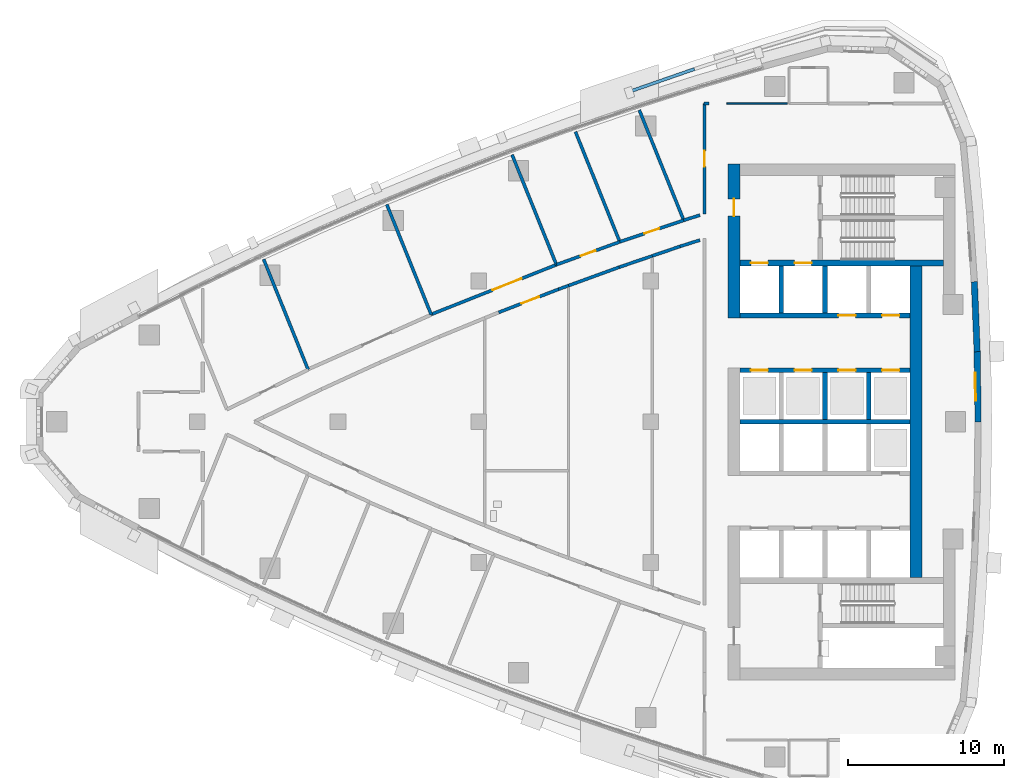
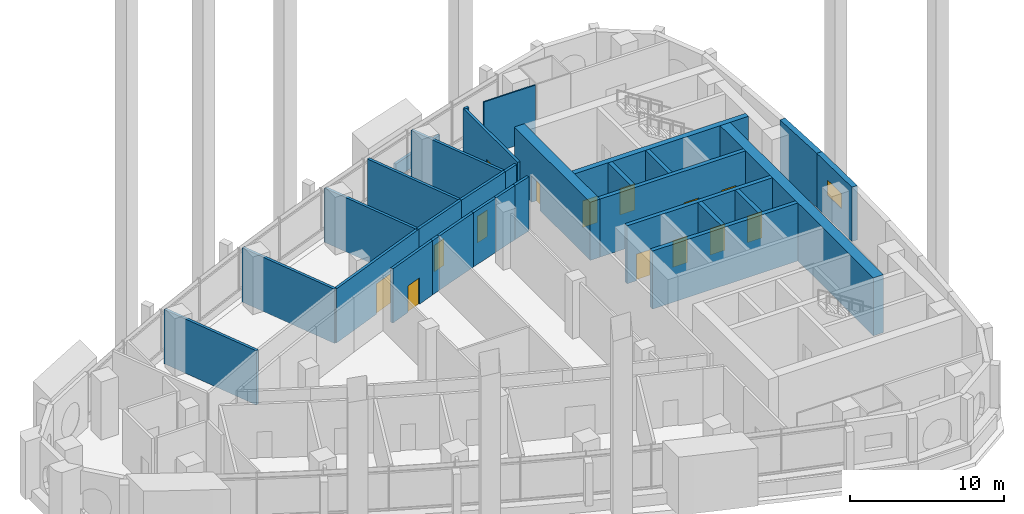
# One storey, part 10 of 19: 31 walls, 14 doors, 1 window, 15 openings.
"""IFC4 building model written with IfcOpenShell, lengths in metres."""

from ifc_helpers import new_model, si_unit, direction, frame, frame_2d, origin, place, context, subcontext, project, spatial, polyline, rectangle, outline, extrude, material, layer, layer_set, type_object, element, fill, save


model = new_model("IFC4")

# Units and contexts
model_context = context("Model", 3, precision=1e-05, world=origin(), true_north=direction((0.0, 1.0)))
body_context = subcontext(model_context, "Body", "Model", "MODEL_VIEW")
ifc_project = project(units=[si_unit("LENGTHUNIT", "METRE"), si_unit("AREAUNIT", "SQUARE_METRE"), si_unit("VOLUMEUNIT", "CUBIC_METRE"), si_unit("PLANEANGLEUNIT", "RADIAN"), si_unit("MASSUNIT", "GRAM", prefix="KILO")], contexts=[model_context])

# Site, building, storey
site_placement = place(None, origin())
site = spatial("IfcSite", under=ifc_project, at=site_placement, CompositionType="ELEMENT")
building_placement = place(site_placement, origin())
building = spatial("IfcBuilding", under=site, at=building_placement, Name="Ostrand Prow Hotel Tower", CompositionType="ELEMENT")
storey_placement = place(building_placement, frame((0.0, 0.0, 170.89990234375)))
storey = spatial("IfcBuildingStorey", under=building, at=storey_placement, Name="L42", CompositionType="ELEMENT", Elevation=170.89990234375)

# Wall
ifc_material_1 = material(Name="Concrete C60/75", Category="concrete")
ifc_layer_1 = layer(ifc_material_1, 0.300048828125)
ifc_layer_set_1 = layer_set([ifc_layer_1], Name="Concrete C60/75")
wall_type_1 = type_object("IfcWallType", Name="Core wall 300 C60/75", PredefinedType="SHEAR", material=ifc_layer_set_1)
wall_1_placement = place(storey_placement, frame((50.699951171875, 0.0, 0.0), z_axis=(0.0, 0.0, 1.0), x_axis=(1.0, 0.0, 0.0)))
element("IfcWall", 1, at=wall_1_placement, inside=storey, type_object=wall_type_1, Name="Core wall PW-C", PredefinedType="SHEAR", context=body_context, shape_type="SweptSolid", body=[
    extrude(rectangle(XDim=10.900146484375, YDim=0.300048828125, at=frame_2d((5.4501953125, 0.0))), origin(), (0.0, 0.0, 1.0), 4.60009765625),
])

# Wall, openings, doors
wall_2_placement = place(storey_placement, frame((50.699951171875, 3.300048828125, 0.0), z_axis=(0.0, 0.0, 1.0), x_axis=(1.0, 0.0, 0.0)))
wall_2 = element("IfcWall", 2, at=wall_2_placement, inside=storey, type_object=wall_type_1, Name="Core wall PW-L1-N", PredefinedType="SHEAR", context=body_context, shape_type="SweptSolid", body=[
    extrude(rectangle(XDim=10.900146484375, YDim=0.300048828125, at=frame_2d((5.4501953125, 0.0))), origin(), (0.0, 0.0, 1.0), 4.60009765625),
])
opening_1_placement = place(wall_2_placement, frame((0.699951171875, 0.0, 0.0)))
opening_1 = element("IfcOpeningElement", 3, at=opening_1_placement, cuts=wall_2, Name="Opening LD", PredefinedType="OPENING", context=body_context, shape_type="SweptSolid", body=[
    extrude(rectangle(XDim=1.10009765625, YDim=2.10009765625, at=frame_2d((0.550048828125, 1.050048828125))), frame((0.0, 0.159912109375, 0.0), z_axis=(0.0, -1.0, 0.0), x_axis=(1.0, 0.0, 0.0)), (0.0, 0.0, 1.0), 0.320068359375),
])
opening_2_placement = place(wall_2_placement, frame((3.5, 0.0, 0.0)))
opening_2 = element("IfcOpeningElement", 4, at=opening_2_placement, cuts=wall_2, Name="Opening LD", PredefinedType="OPENING", context=body_context, shape_type="SweptSolid", body=[
    extrude(rectangle(XDim=1.10009765625, YDim=2.10009765625, at=frame_2d((0.550048828125, 1.050048828125))), frame((0.0, 0.159912109375, 0.0), z_axis=(0.0, -1.0, 0.0), x_axis=(1.0, 0.0, 0.0)), (0.0, 0.0, 1.0), 0.320068359375),
])
opening_3_placement = place(wall_2_placement, frame((6.300048828125, 0.0, 0.0)))
opening_3 = element("IfcOpeningElement", 5, at=opening_3_placement, cuts=wall_2, Name="Opening LD", PredefinedType="OPENING", context=body_context, shape_type="SweptSolid", body=[
    extrude(rectangle(XDim=1.10009765625, YDim=2.10009765625, at=frame_2d((0.550048828125, 1.050048828125))), frame((0.0, 0.159912109375, 0.0), z_axis=(0.0, -1.0, 0.0), x_axis=(1.0, 0.0, 0.0)), (0.0, 0.0, 1.0), 0.320068359375),
])
opening_4_placement = place(wall_2_placement, frame((9.10009765625, 0.0, 0.0)))
opening_4 = element("IfcOpeningElement", 6, at=opening_4_placement, cuts=wall_2, Name="Opening LD", PredefinedType="OPENING", context=body_context, shape_type="SweptSolid", body=[
    extrude(rectangle(XDim=1.10009765625, YDim=2.10009765625, at=frame_2d((0.550048828125, 1.050048828125))), frame((0.0, 0.159912109375, 0.0), z_axis=(0.0, -1.0, 0.0), x_axis=(1.0, 0.0, 0.0)), (0.0, 0.0, 1.0), 0.320068359375),
])
ifc_material_2 = material(Name="Stainless steel door", Category="steel")
door_type_1 = type_object("IfcDoorType", Name="Lift landing door 1100", OperationType="DOUBLE_DOOR_SLIDING", PredefinedType="DOOR", material=ifc_material_2)
door_1_placement = place(opening_1_placement, origin())
door_1 = element("IfcDoor", 7, at=door_1_placement, inside=storey, type_object=door_type_1, Name="LIFT LANDING DOOR", OperationType="DOUBLE_DOOR_SLIDING", OverallHeight=2.10009765625, OverallWidth=1.10009765625, PredefinedType="DOOR", context=body_context, shape_type="SweptSolid", body=[
    extrude(rectangle(XDim=1.10009765625, YDim=2.10009765625, at=frame_2d((0.550048828125, 1.050048828125))), frame((0.0, 0.02490234375, 0.0), z_axis=(0.0, -1.0, 0.0), x_axis=(1.0, 0.0, 0.0)), (0.0, 0.0, 1.0), 0.050048828125),
])
fill(opening_1, door_1)
door_2_placement = place(opening_2_placement, origin())
door_2 = element("IfcDoor", 8, at=door_2_placement, inside=storey, type_object=door_type_1, Name="LIFT LANDING DOOR", OperationType="DOUBLE_DOOR_SLIDING", OverallHeight=2.10009765625, OverallWidth=1.10009765625, PredefinedType="DOOR", context=body_context, shape_type="SweptSolid", body=[
    extrude(rectangle(XDim=1.10009765625, YDim=2.10009765625, at=frame_2d((0.550048828125, 1.050048828125))), frame((0.0, 0.02490234375, 0.0), z_axis=(0.0, -1.0, 0.0), x_axis=(1.0, 0.0, 0.0)), (0.0, 0.0, 1.0), 0.050048828125),
])
fill(opening_2, door_2)
door_3_placement = place(opening_3_placement, origin())
door_3 = element("IfcDoor", 9, at=door_3_placement, inside=storey, type_object=door_type_1, Name="LIFT LANDING DOOR", OperationType="DOUBLE_DOOR_SLIDING", OverallHeight=2.10009765625, OverallWidth=1.10009765625, PredefinedType="DOOR", context=body_context, shape_type="SweptSolid", body=[
    extrude(rectangle(XDim=1.10009765625, YDim=2.10009765625, at=frame_2d((0.550048828125, 1.050048828125))), frame((0.0, 0.02490234375, 0.0), z_axis=(0.0, -1.0, 0.0), x_axis=(1.0, 0.0, 0.0)), (0.0, 0.0, 1.0), 0.050048828125),
])
fill(opening_3, door_3)
door_4_placement = place(opening_4_placement, origin())
door_4 = element("IfcDoor", 10, at=door_4_placement, inside=storey, type_object=door_type_1, Name="LIFT LANDING DOOR", OperationType="DOUBLE_DOOR_SLIDING", OverallHeight=2.10009765625, OverallWidth=1.10009765625, PredefinedType="DOOR", context=body_context, shape_type="SweptSolid", body=[
    extrude(rectangle(XDim=1.10009765625, YDim=2.10009765625, at=frame_2d((0.550048828125, 1.050048828125))), frame((0.0, 0.02490234375, 0.0), z_axis=(0.0, -1.0, 0.0), x_axis=(1.0, 0.0, 0.0)), (0.0, 0.0, 1.0), 0.050048828125),
])
fill(opening_4, door_4)

wall_3_placement = place(storey_placement, frame((50.699951171875, 6.800048828125, 0.0), z_axis=(0.0, 0.0, 1.0), x_axis=(1.0, 0.0, 0.0)))
wall_3 = element("IfcWall", 11, at=wall_3_placement, inside=storey, type_object=wall_type_1, Name="Core wall PW-L2-N", PredefinedType="SHEAR", context=body_context, shape_type="SweptSolid", body=[
    extrude(rectangle(XDim=10.900146484375, YDim=0.300048828125, at=frame_2d((5.4501953125, 0.0))), origin(), (0.0, 0.0, 1.0), 4.60009765625),
])
opening_5_placement = place(wall_3_placement, frame((6.300048828125, 0.0, 0.0)))
opening_5 = element("IfcOpeningElement", 12, at=opening_5_placement, cuts=wall_3, Name="Opening LD", PredefinedType="OPENING", context=body_context, shape_type="SweptSolid", body=[
    extrude(rectangle(XDim=1.10009765625, YDim=2.10009765625, at=frame_2d((0.550048828125, 1.050048828125))), frame((0.0, 0.159912109375, 0.0), z_axis=(0.0, -1.0, 0.0), x_axis=(1.0, 0.0, 0.0)), (0.0, 0.0, 1.0), 0.320068359375),
])
opening_6_placement = place(wall_3_placement, frame((9.10009765625, 0.0, 0.0)))
opening_6 = element("IfcOpeningElement", 13, at=opening_6_placement, cuts=wall_3, Name="Opening LD", PredefinedType="OPENING", context=body_context, shape_type="SweptSolid", body=[
    extrude(rectangle(XDim=1.10009765625, YDim=2.10009765625, at=frame_2d((0.550048828125, 1.050048828125))), frame((0.0, 0.159912109375, 0.0), z_axis=(0.0, -1.0, 0.0), x_axis=(1.0, 0.0, 0.0)), (0.0, 0.0, 1.0), 0.320068359375),
])
door_5_placement = place(opening_5_placement, origin())
door_5 = element("IfcDoor", 14, at=door_5_placement, inside=storey, type_object=door_type_1, Name="LIFT LANDING DOOR", OperationType="DOUBLE_DOOR_SLIDING", OverallHeight=2.10009765625, OverallWidth=1.10009765625, PredefinedType="DOOR", context=body_context, shape_type="SweptSolid", body=[
    extrude(rectangle(XDim=1.10009765625, YDim=2.10009765625, at=frame_2d((0.550048828125, 1.050048828125))), frame((0.0, 0.02490234375, 0.0), z_axis=(0.0, -1.0, 0.0), x_axis=(1.0, 0.0, 0.0)), (0.0, 0.0, 1.0), 0.050048828125),
])
fill(opening_5, door_5)
door_6_placement = place(opening_6_placement, origin())
door_6 = element("IfcDoor", 15, at=door_6_placement, inside=storey, type_object=door_type_1, Name="LIFT LANDING DOOR", OperationType="DOUBLE_DOOR_SLIDING", OverallHeight=2.10009765625, OverallWidth=1.10009765625, PredefinedType="DOOR", context=body_context, shape_type="SweptSolid", body=[
    extrude(rectangle(XDim=1.10009765625, YDim=2.10009765625, at=frame_2d((0.550048828125, 1.050048828125))), frame((0.0, 0.02490234375, 0.0), z_axis=(0.0, -1.0, 0.0), x_axis=(1.0, 0.0, 0.0)), (0.0, 0.0, 1.0), 0.050048828125),
])
fill(opening_6, door_6)

# Walls
for number, where, z_axis, x_axis, name in (
    (16, (53.35009765625, 6.949951171875, 0.0), (0.0, 0.0, 1.0), (0.0, 1.0, 0.0), "Core wall PW-R1-NA"),
    (17, (56.14990234375, 0.14990234375, 0.0), (0.0, 0.0, 1.0), (0.0, 1.0, 0.0), "Core wall PW-R2-NB"),
    (18, (56.14990234375, 6.949951171875, 0.0), (0.0, 0.0, 1.0), (0.0, 1.0, 0.0), "Core wall PW-R2-NA"),
    (19, (58.949951171875, 0.14990234375, 0.0), (0.0, 0.0, 1.0), (0.0, 1.0, 0.0), "Core wall PW-R3-NB"),
):
    element("IfcWall", number, at=place(storey_placement, frame(where, z_axis=z_axis, x_axis=x_axis)), inside=storey, type_object=wall_type_1, Name=name, PredefinedType="SHEAR", context=body_context, shape_type="SweptSolid", body=[
        extrude(rectangle(XDim=3.0, YDim=0.300048828125, at=frame_2d((1.5, 0.0))), origin(), (0.0, 0.0, 1.0), 4.60009765625),
    ])

# Wall, openings, doors
ifc_material_3 = material(Name="Concrete C60/75", Category="concrete")
ifc_layer_2 = layer(ifc_material_3, 0.39990234375)
ifc_layer_set_2 = layer_set([ifc_layer_2], Name="Concrete C60/75")
wall_type_2 = type_object("IfcWallType", Name="Core wall 400 C60/75", PredefinedType="SHEAR", material=ifc_layer_set_2)
wall_4_placement = place(storey_placement, frame((50.699951171875, 10.14990234375, 0.0), z_axis=(0.0, 0.0, 1.0), x_axis=(1.0, 0.0, 0.0)))
wall_4 = element("IfcWall", 20, at=wall_4_placement, inside=storey, type_object=wall_type_2, Name="Core wall PW-BN", PredefinedType="SHEAR", context=body_context, shape_type="SweptSolid", body=[
    extrude(rectangle(XDim=13.02001953125, YDim=0.39990234375, at=frame_2d((6.510009765625, 0.0))), origin(), (0.0, 0.0, 1.0), 4.60009765625),
])
opening_7_placement = place(wall_4_placement, frame((0.699951171875, 0.0, 0.0)))
opening_7 = element("IfcOpeningElement", 21, at=opening_7_placement, cuts=wall_4, Name="Opening LD", PredefinedType="OPENING", context=body_context, shape_type="SweptSolid", body=[
    extrude(rectangle(XDim=1.10009765625, YDim=2.10009765625, at=frame_2d((0.550048828125, 1.050048828125))), frame((0.0, 0.2099609375, 0.0), z_axis=(0.0, -1.0, 0.0), x_axis=(1.0, 0.0, 0.0)), (0.0, 0.0, 1.0), 0.419921875),
])
opening_8_placement = place(wall_4_placement, frame((3.5, 0.0, 0.0)))
opening_8 = element("IfcOpeningElement", 22, at=opening_8_placement, cuts=wall_4, Name="Opening LD", PredefinedType="OPENING", context=body_context, shape_type="SweptSolid", body=[
    extrude(rectangle(XDim=1.10009765625, YDim=2.10009765625, at=frame_2d((0.550048828125, 1.050048828125))), frame((0.0, 0.2099609375, 0.0), z_axis=(0.0, -1.0, 0.0), x_axis=(1.0, 0.0, 0.0)), (0.0, 0.0, 1.0), 0.419921875),
])
door_7_placement = place(opening_7_placement, origin())
door_7 = element("IfcDoor", 23, at=door_7_placement, inside=storey, type_object=door_type_1, Name="LIFT LANDING DOOR", OperationType="DOUBLE_DOOR_SLIDING", OverallHeight=2.10009765625, OverallWidth=1.10009765625, PredefinedType="DOOR", context=body_context, shape_type="SweptSolid", body=[
    extrude(rectangle(XDim=1.10009765625, YDim=2.10009765625, at=frame_2d((0.550048828125, 1.050048828125))), frame((0.0, 0.02490234375, 0.0), z_axis=(0.0, -1.0, 0.0), x_axis=(1.0, 0.0, 0.0)), (0.0, 0.0, 1.0), 0.050048828125),
])
fill(opening_7, door_7)
door_8_placement = place(opening_8_placement, origin())
door_8 = element("IfcDoor", 24, at=door_8_placement, inside=storey, type_object=door_type_1, Name="LIFT LANDING DOOR", OperationType="DOUBLE_DOOR_SLIDING", OverallHeight=2.10009765625, OverallWidth=1.10009765625, PredefinedType="DOOR", context=body_context, shape_type="SweptSolid", body=[
    extrude(rectangle(XDim=1.10009765625, YDim=2.10009765625, at=frame_2d((0.550048828125, 1.050048828125))), frame((0.0, 0.02490234375, 0.0), z_axis=(0.0, -1.0, 0.0), x_axis=(1.0, 0.0, 0.0)), (0.0, 0.0, 1.0), 0.050048828125),
])
fill(opening_8, door_8)

# Wall, opening, door
ifc_material_4 = material(Name="Concrete C60/75", Category="concrete")
ifc_layer_3 = layer(ifc_material_4, 0.75)
ifc_layer_set_3 = layer_set([ifc_layer_3], Name="Concrete C60/75")
wall_type_3 = type_object("IfcWallType", Name="Core wall 750 C60/75", PredefinedType="SHEAR", material=ifc_layer_set_3)
wall_5_placement = place(storey_placement, frame((50.324951171875, 6.64990234375, 0.0), z_axis=(0.0, 0.0, 1.0), x_axis=(0.0, 1.0, 0.0)))
wall_5 = element("IfcWall", 25, at=wall_5_placement, inside=storey, type_object=wall_type_3, Name="Core wall CW-W-N", PredefinedType="SHEAR", context=body_context, shape_type="SweptSolid", body=[
    extrude(rectangle(XDim=9.85009765625, YDim=0.75, at=frame_2d((4.925048828125, 0.0))), origin(), (0.0, 0.0, 1.0), 4.60009765625),
])
opening_9_placement = place(wall_5_placement, frame((6.5, 0.0, 0.0)))
opening_9 = element("IfcOpeningElement", 26, at=opening_9_placement, cuts=wall_5, Name="Opening FD1", PredefinedType="OPENING", context=body_context, shape_type="SweptSolid", body=[
    extrude(rectangle(XDim=1.10009765625, YDim=2.10009765625, at=frame_2d((0.550048828125, 1.050048828125))), frame((0.0, 0.385009765625, 0.0), z_axis=(0.0, -1.0, 0.0), x_axis=(1.0, 0.0, 0.0)), (0.0, 0.0, 1.0), 0.77001953125),
])
ifc_material_5 = material(Name="Steel fire door", Category="steel")
door_type_2 = type_object("IfcDoorType", Name="Fire door 1100 EI120", OperationType="SINGLE_SWING_RIGHT", PredefinedType="DOOR", material=ifc_material_5)
door_9_placement = place(opening_9_placement, origin())
door_9 = element("IfcDoor", 27, at=door_9_placement, inside=storey, type_object=door_type_2, Name="FIRE DOOR", OperationType="SINGLE_SWING_RIGHT", OverallHeight=2.10009765625, OverallWidth=1.10009765625, PredefinedType="DOOR", context=body_context, shape_type="SweptSolid", body=[
    extrude(rectangle(XDim=1.10009765625, YDim=2.10009765625, at=frame_2d((0.550048828125, 1.050048828125))), frame((0.0, 0.02490234375, 0.0), z_axis=(0.0, -1.0, 0.0), x_axis=(1.0, 0.0, 0.0)), (0.0, 0.0, 1.0), 0.050048828125),
])
fill(opening_9, door_9)

# Walls
wall_6_placement = place(storey_placement, frame((61.97509765625, -9.949951171875, 0.0), z_axis=(0.0, 0.0, 1.0), x_axis=(0.0, 1.0, 0.0)))
element("IfcWall", 28, at=wall_6_placement, inside=storey, type_object=wall_type_3, Name="Core wall CW-E-C", PredefinedType="SHEAR", context=body_context, shape_type="SweptSolid", body=[
    extrude(rectangle(XDim=19.89990234375, YDim=0.75, at=frame_2d((9.949951171875, 0.0))), origin(), (0.0, 0.0, 1.0), 4.60009765625),
])
ifc_material_6 = material(Name="Plasterboard partition")
ifc_layer_4 = layer(ifc_material_6, 0.10009765625)
ifc_layer_set_4 = layer_set([ifc_layer_4], Name="Plasterboard partition")
wall_type_4 = type_object("IfcWallType", Name="Partition 100 bathroom wall", PredefinedType="PARTITIONING", material=ifc_layer_set_4)
wall_7_placement = place(storey_placement, frame((49.8701171875, 20.35009765625, 0.0), z_axis=(0.0, 0.0, 1.0), x_axis=(1.0, 0.0, 0.0)))
element("IfcWall", 29, at=wall_7_placement, inside=storey, type_object=wall_type_4, Name="BATHROOM WALL", PredefinedType="PARTITIONING", context=body_context, shape_type="SweptSolid", body=[
    extrude(rectangle(XDim=3.8798828125, YDim=0.10009765625, at=frame_2d((1.93994140625, 0.0))), origin(), (0.0, 0.0, 1.0), 4.300048828125),
])

# Wall, opening, door
ifc_material_7 = material(Name="Plasterboard partition")
ifc_layer_5 = layer(ifc_material_7, 0.199951171875)
ifc_layer_set_5 = layer_set([ifc_layer_5], Name="Plasterboard partition")
wall_type_5 = type_object("IfcWallType", Name="Partition 200 corridor wall", PredefinedType="PARTITIONING", material=ifc_layer_set_5)
wall_8_placement = place(storey_placement, frame((38.972412109375, 10.044921875, 0.0), z_axis=(0.0, 0.0, 1.0), x_axis=(-0.929554647243, -0.368684360651, 0.0)))
wall_8 = element("IfcWall", 30, at=wall_8_placement, inside=storey, type_object=wall_type_5, Name="CORRIDOR WALL", PredefinedType="PARTITIONING", context=body_context, shape_type="SweptSolid", body=[
    extrude(rectangle(XDim=8.621826171875, YDim=0.199951171875, at=frame_2d((4.31103515625, 0.0))), origin(), (0.0, 0.0, 1.0), 4.300048828125),
])
opening_10_placement = place(wall_8_placement, frame((2.39990234375, 0.0, 0.0)))
opening_10 = element("IfcOpeningElement", 31, at=opening_10_placement, cuts=wall_8, Name="Opening D20", PredefinedType="OPENING", context=body_context, shape_type="SweptSolid", body=[
    extrude(rectangle(XDim=2.0, YDim=2.39990234375, at=frame_2d((1.0, 1.199951171875))), frame((0.0, 0.10986328125, 0.0), z_axis=(0.0, -1.0, 0.0), x_axis=(1.0, 0.0, 0.0)), (0.0, 0.0, 1.0), 0.219970703125),
])
ifc_material_8 = material(Name="Timber door leaf", Category="wood")
door_type_3 = type_object("IfcDoorType", Name="Double door 2000", OperationType="DOUBLE_DOOR_SINGLE_SWING", PredefinedType="DOOR", material=ifc_material_8)
door_10_placement = place(opening_10_placement, origin())
door_10 = element("IfcDoor", 32, at=door_10_placement, inside=storey, type_object=door_type_3, Name="DOOR", OperationType="DOUBLE_DOOR_SINGLE_SWING", OverallHeight=2.39990234375, OverallWidth=2.0, PredefinedType="DOOR", context=body_context, shape_type="SweptSolid", body=[
    extrude(rectangle(XDim=2.0, YDim=2.39990234375, at=frame_2d((1.0, 1.199951171875))), frame((0.0, 0.02490234375, 0.0), z_axis=(0.0, -1.0, 0.0), x_axis=(1.0, 0.0, 0.0)), (0.0, 0.0, 1.0), 0.050048828125),
])
fill(opening_10, door_10)

wall_9_placement = place(storey_placement, frame((43.02587890625, 11.50732421875, 0.0), z_axis=(0.0, 0.0, 1.0), x_axis=(-0.940653905433, -0.339367397069, 0.0)))
wall_9 = element("IfcWall", 33, at=wall_9_placement, inside=storey, type_object=wall_type_5, Name="CORRIDOR WALL", PredefinedType="PARTITIONING", context=body_context, shape_type="SweptSolid", body=[
    extrude(rectangle(XDim=4.30908203125, YDim=0.199951171875, at=frame_2d((2.154541015625, 0.0))), origin(), (0.0, 0.0, 1.0), 4.300048828125),
])
opening_11_placement = place(wall_9_placement, frame((1.65478515625, 0.0, 0.0)))
opening_11 = element("IfcOpeningElement", 34, at=opening_11_placement, cuts=wall_9, Name="Opening D1", PredefinedType="OPENING", context=body_context, shape_type="SweptSolid", body=[
    extrude(rectangle(XDim=1.0, YDim=2.10009765625, at=frame_2d((0.5, 1.050048828125))), frame((0.0, 0.10986328125, 0.0), z_axis=(0.0, -1.0, 0.0), x_axis=(1.0, 0.0, 0.0)), (0.0, 0.0, 1.0), 0.219970703125),
])
ifc_material_9 = material(Name="Timber door leaf", Category="wood")
door_type_4 = type_object("IfcDoorType", Name="Guest room door 1000", OperationType="SINGLE_SWING_LEFT", PredefinedType="DOOR", material=ifc_material_9)
door_11_placement = place(opening_11_placement, origin())
door_11 = element("IfcDoor", 35, at=door_11_placement, inside=storey, type_object=door_type_4, Name="DOOR", OperationType="SINGLE_SWING_LEFT", OverallHeight=2.10009765625, OverallWidth=1.0, PredefinedType="DOOR", context=body_context, shape_type="SweptSolid", body=[
    extrude(rectangle(XDim=1.0, YDim=2.10009765625, at=frame_2d((0.5, 1.050048828125))), frame((0.0, 0.02490234375, 0.0), z_axis=(0.0, -1.0, 0.0), x_axis=(1.0, 0.0, 0.0)), (0.0, 0.0, 1.0), 0.050048828125),
])
fill(opening_11, door_11)

wall_10_placement = place(storey_placement, frame((47.11328125, 12.885986328125, 0.0), z_axis=(0.0, 0.0, 1.0), x_axis=(-0.947550995841, -0.319604615549, 0.0)))
wall_10 = element("IfcWall", 36, at=wall_10_placement, inside=storey, type_object=wall_type_5, Name="CORRIDOR WALL", PredefinedType="PARTITIONING", context=body_context, shape_type="SweptSolid", body=[
    extrude(rectangle(XDim=4.313720703125, YDim=0.199951171875, at=frame_2d((2.15673828125, 0.0))), origin(), (0.0, 0.0, 1.0), 4.300048828125),
])
opening_12_placement = place(wall_10_placement, frame((1.65673828125, 0.0, 0.0)))
opening_12 = element("IfcOpeningElement", 37, at=opening_12_placement, cuts=wall_10, Name="Opening D1R", PredefinedType="OPENING", context=body_context, shape_type="SweptSolid", body=[
    extrude(rectangle(XDim=1.0, YDim=2.10009765625, at=frame_2d((0.5, 1.050048828125))), frame((0.0, 0.10986328125, 0.0), z_axis=(0.0, -1.0, 0.0), x_axis=(1.0, 0.0, 0.0)), (0.0, 0.0, 1.0), 0.219970703125),
])
ifc_material_10 = material(Name="Timber door leaf", Category="wood")
door_type_5 = type_object("IfcDoorType", Name="Guest room door 1000 right", OperationType="SINGLE_SWING_RIGHT", PredefinedType="DOOR", material=ifc_material_10)
door_12_placement = place(opening_12_placement, origin())
door_12 = element("IfcDoor", 38, at=door_12_placement, inside=storey, type_object=door_type_5, Name="DOOR", OperationType="SINGLE_SWING_RIGHT", OverallHeight=2.10009765625, OverallWidth=1.0, PredefinedType="DOOR", context=body_context, shape_type="SweptSolid", body=[
    extrude(rectangle(XDim=1.0, YDim=2.10009765625, at=frame_2d((0.5, 1.050048828125))), frame((0.0, 0.02490234375, 0.0), z_axis=(0.0, -1.0, 0.0), x_axis=(1.0, 0.0, 0.0)), (0.0, 0.0, 1.0), 0.050048828125),
])
fill(opening_12, door_12)

wall_11_placement = place(storey_placement, frame((35.275634765625, 6.994384765625, 0.0), z_axis=(0.0, 0.0, 1.0), x_axis=(0.932673028194, 0.360722916487, 0.0)))
wall_11 = element("IfcWall", 39, at=wall_11_placement, inside=storey, type_object=wall_type_5, Name="CORRIDOR WALL", PredefinedType="PARTITIONING", context=body_context, shape_type="SweptSolid", body=[
    extrude(rectangle(XDim=4.116943359375, YDim=0.199951171875, at=frame_2d((2.05859375, 0.0))), origin(), (0.0, 0.0, 1.0), 4.300048828125),
])
opening_13_placement = place(wall_11_placement, frame((1.55859375, 0.0, 0.0)))
opening_13 = element("IfcOpeningElement", 40, at=opening_13_placement, cuts=wall_11, Name="Opening D12", PredefinedType="OPENING", context=body_context, shape_type="SweptSolid", body=[
    extrude(rectangle(XDim=1.199951171875, YDim=2.10009765625, at=frame_2d((0.60009765625, 1.050048828125))), frame((0.0, 0.10986328125, 0.0), z_axis=(0.0, -1.0, 0.0), x_axis=(1.0, 0.0, 0.0)), (0.0, 0.0, 1.0), 0.219970703125),
])
ifc_material_11 = material(Name="Steel service door", Category="steel")
door_type_6 = type_object("IfcDoorType", Name="Service door 1200", OperationType="SINGLE_SWING_RIGHT", PredefinedType="DOOR", material=ifc_material_11)
door_13_placement = place(opening_13_placement, origin())
door_13 = element("IfcDoor", 41, at=door_13_placement, inside=storey, type_object=door_type_6, Name="DOOR", OperationType="SINGLE_SWING_RIGHT", OverallHeight=2.10009765625, OverallWidth=1.199951171875, PredefinedType="DOOR", context=body_context, shape_type="SweptSolid", body=[
    extrude(rectangle(XDim=1.199951171875, YDim=2.10009765625, at=frame_2d((0.60009765625, 1.050048828125))), frame((0.0, 0.02490234375, 0.0), z_axis=(0.0, -1.0, 0.0), x_axis=(1.0, 0.0, 0.0)), (0.0, 0.0, 1.0), 0.050048828125),
])
fill(opening_13, door_13)

# Walls
wall_12_placement = place(storey_placement, frame((39.115478515625, 8.4794921875, 0.0), z_axis=(0.0, 0.0, 1.0), x_axis=(0.939740484597, 0.341888609944, 0.0)))
element("IfcWall", 42, at=wall_12_placement, inside=storey, type_object=wall_type_5, Name="CORRIDOR WALL", PredefinedType="PARTITIONING", context=body_context, shape_type="SweptSolid", body=[
    extrude(rectangle(XDim=0.67333984375, YDim=0.199951171875, at=frame_2d((0.336669921875, 0.0))), origin(), (0.0, 0.0, 1.0), 4.300048828125),
])
wall_13_placement = place(storey_placement, frame((42.984375, 9.88720703125, 0.0), z_axis=(0.0, 0.0, 1.0), x_axis=(0.946435226242, 0.322893732562, 0.0)))
element("IfcWall", 43, at=wall_13_placement, inside=storey, type_object=wall_type_5, Name="CORRIDOR WALL", PredefinedType="PARTITIONING", context=body_context, shape_type="SweptSolid", body=[
    extrude(rectangle(XDim=2.23876953125, YDim=0.199951171875, at=frame_2d((1.119384765625, 0.0))), origin(), (0.0, 0.0, 1.0), 4.300048828125),
])
wall_14_placement = place(storey_placement, frame((39.748291015625, 8.709716796875, 0.0), z_axis=(0.0, 0.0, 1.0), x_axis=(0.93972509626, 0.341930904509, 0.0)))
element("IfcWall", 44, at=wall_14_placement, inside=storey, type_object=wall_type_5, Name="CORRIDOR WALL", PredefinedType="PARTITIONING", context=body_context, shape_type="SweptSolid", body=[
    extrude(rectangle(XDim=3.443603515625, YDim=0.199951171875, at=frame_2d((1.7216796875, 0.0))), origin(), (0.0, 0.0, 1.0), 4.300048828125),
])
wall_15_placement = place(storey_placement, frame((45.103271484375, 10.610107421875, 0.0), z_axis=(0.0, 0.0, 1.0), x_axis=(0.946437079914, 0.322888299204, 0.0)))
element("IfcWall", 45, at=wall_15_placement, inside=storey, type_object=wall_type_5, Name="CORRIDOR WALL", PredefinedType="PARTITIONING", context=body_context, shape_type="SweptSolid", body=[
    extrude(rectangle(XDim=1.878173828125, YDim=0.199951171875, at=frame_2d((0.93896484375, 0.0))), origin(), (0.0, 0.0, 1.0), 4.300048828125),
])
wall_16_placement = place(storey_placement, frame((48.14990234375, 13.216552734375, 0.0), z_axis=(0.0, 0.0, 1.0), x_axis=(-0.952731090451, -0.303814860215, 0.0)))
element("IfcWall", 46, at=wall_16_placement, inside=storey, type_object=wall_type_5, Name="CORRIDOR WALL", PredefinedType="PARTITIONING", context=body_context, shape_type="SweptSolid", body=[
    extrude(rectangle(XDim=1.088134765625, YDim=0.199951171875, at=frame_2d((0.5439453125, 0.0))), origin(), (0.0, 0.0, 1.0), 4.300048828125),
])
wall_17_placement = place(storey_placement, frame((46.880859375, 11.216552734375, 0.0), z_axis=(0.0, 0.0, 1.0), x_axis=(0.952761948983, 0.303718074157, 0.0)))
element("IfcWall", 47, at=wall_17_placement, inside=storey, type_object=wall_type_5, Name="CORRIDOR WALL", PredefinedType="PARTITIONING", context=body_context, shape_type="SweptSolid", body=[
    extrude(rectangle(XDim=1.33203125, YDim=0.199951171875, at=frame_2d((0.666015625, 0.0))), origin(), (0.0, 0.0, 1.0), 4.300048828125),
])

# Wall, opening, door
wall_18_placement = place(storey_placement, frame((48.445068359375, 20.35009765625, 0.0), z_axis=(0.0, 0.0, 1.0), x_axis=(0.0, -1.0, 0.0)))
wall_18 = element("IfcWall", 48, at=wall_18_placement, inside=storey, type_object=wall_type_5, Name="CORRIDOR WALL", PredefinedType="PARTITIONING", context=body_context, shape_type="SweptSolid", body=[
    extrude(rectangle(XDim=7.05517578125, YDim=0.199951171875, at=frame_2d((3.527587890625, 0.0))), origin(), (0.0, 0.0, 1.0), 4.300048828125),
])
opening_14_placement = place(wall_18_placement, frame((3.028076171875, 0.0, 0.0)))
opening_14 = element("IfcOpeningElement", 49, at=opening_14_placement, cuts=wall_18, Name="Opening D1R", PredefinedType="OPENING", context=body_context, shape_type="SweptSolid", body=[
    extrude(rectangle(XDim=1.0, YDim=2.10009765625, at=frame_2d((0.5, 1.050048828125))), frame((0.0, 0.10986328125, 0.0), z_axis=(0.0, -1.0, 0.0), x_axis=(1.0, 0.0, 0.0)), (0.0, 0.0, 1.0), 0.219970703125),
])
door_14_placement = place(opening_14_placement, origin())
door_14 = element("IfcDoor", 50, at=door_14_placement, inside=storey, type_object=door_type_5, Name="DOOR", OperationType="SINGLE_SWING_RIGHT", OverallHeight=2.10009765625, OverallWidth=1.0, PredefinedType="DOOR", context=body_context, shape_type="SweptSolid", body=[
    extrude(rectangle(XDim=1.0, YDim=2.10009765625, at=frame_2d((0.5, 1.050048828125))), frame((0.0, 0.02490234375, 0.0), z_axis=(0.0, -1.0, 0.0), x_axis=(1.0, 0.0, 0.0)), (0.0, 0.0, 1.0), 0.050048828125),
])
fill(opening_14, door_14)

# Walls
wall_19_placement = place(storey_placement, frame((48.733154296875, 20.35498046875, 0.0), z_axis=(0.0, 0.0, 1.0), x_axis=(-0.99984999346, -0.017320236107, 0.0)))
element("IfcWall", 51, at=wall_19_placement, inside=storey, type_object=wall_type_5, Name="CORRIDOR WALL", PredefinedType="PARTITIONING", context=body_context, shape_type="SweptSolid", body=[
    extrude(rectangle(XDim=0.31005859375, YDim=0.199951171875, at=frame_2d((0.155029296875, 0.0))), origin(), (0.0, 0.0, 1.0), 4.300048828125),
])
ifc_material_12 = material(Name="Plasterboard partition")
ifc_layer_6 = layer(ifc_material_12, 0.199951171875)
ifc_layer_set_6 = layer_set([ifc_layer_6], Name="Plasterboard partition")
wall_type_6 = type_object("IfcWallType", Name="Partition 200 key partition", PredefinedType="PARTITIONING", material=ifc_layer_set_6)
wall_20_placement = place(storey_placement, frame((23.09228515625, 3.33251953125, 0.0), z_axis=(0.0, 0.0, 1.0), x_axis=(-0.373894034942, 0.927471428473, 0.0)))
element("IfcWall", 52, at=wall_20_placement, inside=storey, type_object=wall_type_6, Name="KEY PARTITION", PredefinedType="PARTITIONING", context=body_context, shape_type="SweptSolid", body=[
    extrude(rectangle(XDim=7.613037109375, YDim=0.199951171875, at=frame_2d((3.806640625, 0.0))), origin(), (0.0, 0.0, 1.0), 4.300048828125),
])
wall_21_placement = place(storey_placement, frame((30.96533203125, 6.84765625, 0.0), z_axis=(0.0, 0.0, 1.0), x_axis=(-0.373876084216, 0.927478664796, 0.0)))
element("IfcWall", 53, at=wall_21_placement, inside=storey, type_object=wall_type_6, Name="KEY PARTITION", PredefinedType="PARTITIONING", context=body_context, shape_type="SweptSolid", body=[
    extrude(rectangle(XDim=7.600341796875, YDim=0.199951171875, at=frame_2d((3.80029296875, 0.0))), origin(), (0.0, 0.0, 1.0), 4.300048828125),
])
wall_22_placement = place(storey_placement, frame((38.979736328125, 10.0263671875, 0.0), z_axis=(0.0, 0.0, 1.0), x_axis=(-0.373863662938, 0.927483671843, 0.0)))
element("IfcWall", 54, at=wall_22_placement, inside=storey, type_object=wall_type_6, Name="KEY PARTITION", PredefinedType="PARTITIONING", context=body_context, shape_type="SweptSolid", body=[
    extrude(rectangle(XDim=7.6044921875, YDim=0.199951171875, at=frame_2d((3.80224609375, 0.0))), origin(), (0.0, 0.0, 1.0), 4.300048828125),
])
wall_23_placement = place(storey_placement, frame((43.033447265625, 11.48876953125, 0.0), z_axis=(0.0, 0.0, 1.0), x_axis=(-0.373877998371, 0.927477893178, 0.0)))
element("IfcWall", 55, at=wall_23_placement, inside=storey, type_object=wall_type_6, Name="KEY PARTITION", PredefinedType="PARTITIONING", context=body_context, shape_type="SweptSolid", body=[
    extrude(rectangle(XDim=7.611328125, YDim=0.199951171875, at=frame_2d((3.8056640625, 0.0))), origin(), (0.0, 0.0, 1.0), 4.300048828125),
])
wall_24_placement = place(storey_placement, frame((47.120849609375, 12.867431640625, 0.0), z_axis=(0.0, 0.0, 1.0), x_axis=(-0.373907892596, 0.92746584188, 0.0)))
element("IfcWall", 56, at=wall_24_placement, inside=storey, type_object=wall_type_6, Name="KEY PARTITION", PredefinedType="PARTITIONING", context=body_context, shape_type="SweptSolid", body=[
    extrude(rectangle(XDim=7.62109375, YDim=0.199951171875, at=frame_2d((3.810546875, 0.0))), origin(), (0.0, 0.0, 1.0), 4.300048828125),
])
ifc_material_13 = material(Name="Precast concrete C40/50", Category="concrete")
ifc_layer_7 = layer(ifc_material_13, 0.199951171875)
ifc_layer_set_7 = layer_set([ifc_layer_7], Name="Precast concrete C40/50")
wall_type_7 = type_object("IfcWallType", Name="Roof parapet 200 mm precast concrete", PredefinedType="PARAPET", material=ifc_layer_set_7)
wall_25_placement = place(storey_placement, frame((47.80029296875, 22.560302734375, 0.0), z_axis=(0.0, 0.0, 1.0), x_axis=(-0.944536635865, -0.328406064969, 0.0)))
element("IfcWall", 57, at=wall_25_placement, inside=storey, type_object=wall_type_7, Name="Roof parapet LPR0 1.19", PredefinedType="PARAPET", context=body_context, shape_type="SweptSolid", body=[
    extrude(rectangle(XDim=4.380859375, YDim=0.199951171875, at=frame_2d((2.1904296875, 0.0))), origin(), (0.0, 0.0, 1.0), 1.10009765625),
])

# Wall, opening, window
ifc_material_14 = material(Name="Precast concrete C40/50", Category="concrete")
ifc_layer_8 = layer(ifc_material_14, 0.39990234375)
ifc_layer_set_8 = layer_set([ifc_layer_8], Name="Precast concrete C40/50")
wall_type_8 = type_object("IfcWallType", Name="Stone-faced precast wall 400 mm", PredefinedType="NOTDEFINED", material=ifc_layer_set_8)
wall_26_placement = place(storey_placement, frame((65.940185546875, 0.0, 0.0), z_axis=(0.0, 0.0, 1.0), x_axis=(-0.013348854104, 0.999910900078, 0.0)))
wall_26 = element("IfcWall", 58, at=wall_26_placement, inside=storey, type_object=wall_type_8, Name="Stone-faced wall back 9", PredefinedType="NOTDEFINED", context=body_context, shape_type="SweptSolid", body=[
    extrude(outline(polyline([(-0.002685546875, -0.199951171875), (4.483642578125, -0.199951171875), (4.478271484375, 0.199951171875), (0.002685546875, 0.199951171875), (-0.002685546875, -0.199951171875)])), origin(), (0.0, 0.0, 1.0), 4.300048828125),
])
opening_15_placement = place(wall_26_placement, frame((1.34033203125, 0.0, 1.800048828125)))
opening_15 = element("IfcOpeningElement", 59, at=opening_15_placement, cuts=wall_26, Name="Opening WC1", PredefinedType="OPENING", context=body_context, shape_type="SweptSolid", body=[
    extrude(rectangle(XDim=1.800048828125, YDim=1.199951171875, at=frame_2d((0.89990234375, 0.60009765625))), frame((0.0, 0.2099609375, 0.0), z_axis=(0.0, -1.0, 0.0), x_axis=(1.0, 0.0, 0.0)), (0.0, 0.0, 1.0), 0.419921875),
])
ifc_material_15 = material(Name="Insulated glass in bronze frame", Category="glass")
window_type = type_object("IfcWindowType", Name="Sky lobby clerestory window 1800x1200", PartitioningType="SINGLE_PANEL", PredefinedType="WINDOW", material=ifc_material_15)
window_placement = place(opening_15_placement, origin())
window = element("IfcWindow", 60, at=window_placement, inside=storey, type_object=window_type, Name="Window back 9.1", OverallHeight=1.199951171875, OverallWidth=1.800048828125, PartitioningType="SINGLE_PANEL", PredefinedType="WINDOW", context=body_context, shape_type="SweptSolid", body=[
    extrude(rectangle(XDim=1.800048828125, YDim=1.199951171875, at=frame_2d((0.89990234375, 0.60009765625))), frame((0.0, 0.169921875, 0.0), z_axis=(0.0, -1.0, 0.0), x_axis=(1.0, 0.0, 0.0)), (0.0, 0.0, 1.0), 0.06005859375),
])
fill(opening_15, window)

# Wall
wall_27_placement = place(storey_placement, frame((65.88037109375, 4.48046875, 0.0), z_axis=(0.0, 0.0, 1.0), x_axis=(-0.040155165338, 0.999193456092, 0.0)))
element("IfcWall", 61, at=wall_27_placement, inside=storey, type_object=wall_type_8, Name="Stone-faced wall back 10", PredefinedType="NOTDEFINED", context=body_context, shape_type="SweptSolid", body=[
    extrude(outline(polyline([(-0.002685546875, -0.199951171875), (4.483642578125, -0.199951171875), (4.478271484375, 0.199951171875), (0.002685546875, 0.199951171875), (-0.002685546875, -0.199951171875)])), origin(), (0.0, 0.0, 1.0), 4.300048828125),
])

save(model, "model.ifc")
